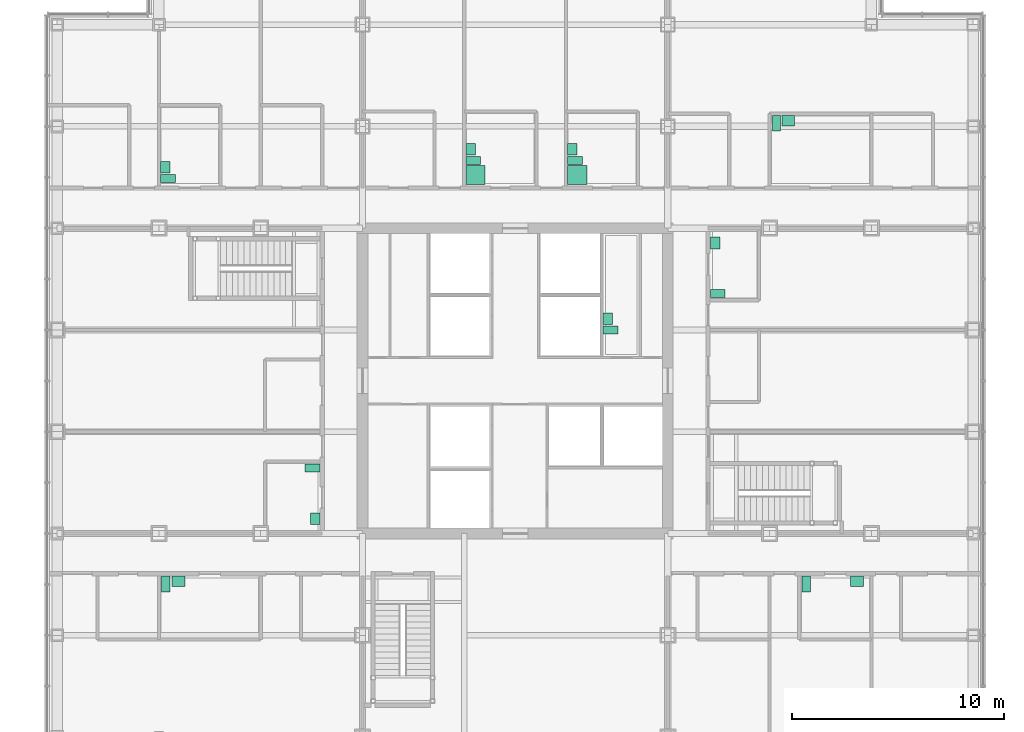
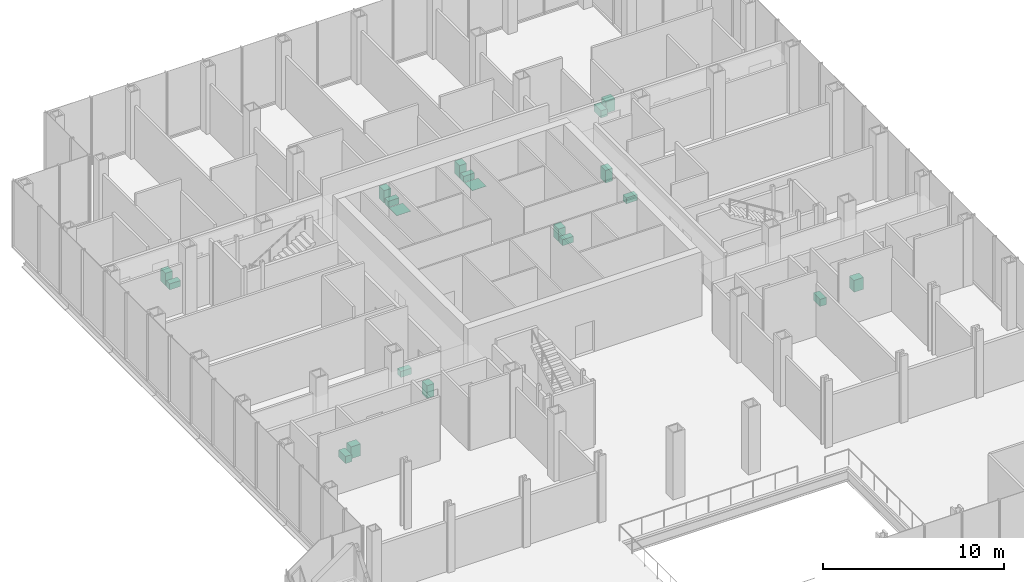
# One storey, part 25 of 25: 20 sanitary terminals.
"""IFC4 building model written with IfcOpenShell, lengths in metres."""

from ifc_helpers import new_model, si_unit, direction, frame, origin, origin_2d, place, context, subcontext, project, spatial, rectangle, extrude, material, type_object, element, save


model = new_model("IFC4")

# Units and contexts
model_context = context("Model", 3, precision=1e-05, world=origin(), true_north=direction((0.0, 1.0)))
body_context = subcontext(model_context, "Body", "Model", "MODEL_VIEW")
ifc_project = project(units=[si_unit("LENGTHUNIT", "METRE"), si_unit("AREAUNIT", "SQUARE_METRE"), si_unit("VOLUMEUNIT", "CUBIC_METRE"), si_unit("PLANEANGLEUNIT", "RADIAN"), si_unit("MASSUNIT", "GRAM", prefix="KILO")], contexts=[model_context])

# Site, building, storey
site_placement = place(None, origin())
site = spatial("IfcSite", under=ifc_project, at=site_placement, CompositionType="ELEMENT")
building_placement = place(site_placement, origin())
building = spatial("IfcBuilding", under=site, at=building_placement, Name="Kvirike Care Tower", CompositionType="ELEMENT")
storey_placement = place(building_placement, frame((0.0, 0.0, 9.0)))
storey = spatial("IfcBuildingStorey", under=building, at=storey_placement, Name="L02", CompositionType="ELEMENT", Elevation=9.0)

# Sanitary terminals
ifc_material_1 = material(Name="Vitreous china", Category="ceramic")
sanitary_terminal_type_1 = type_object("IfcSanitaryTerminalType", Name="ACCESSIBLE WASH BASIN 600 x 500", PredefinedType="WASHHANDBASIN", material=ifc_material_1)
for number, where, z_axis, x_axis, name in (
    (1, (5.72509765625, 26.548095703125, 0.02001953125), (0.0, 0.0, 1.0), (1.0, 0.0, 0.0), "Accessible wash basin L02-004"),
    (2, (37.72509765625, 26.548095703125, 0.02001953125), (0.0, 0.0, 1.0), (1.0, 0.0, 0.0), "Accessible wash basin L02-034"),
    (3, (34.47509765625, 48.27294921875, 0.02001953125), (0.0, 0.0, 1.0), (1.0, 0.0, 0.0), "Accessible wash basin L02-046"),
):
    element("IfcSanitaryTerminal", number, at=place(storey_placement, frame(where, z_axis=z_axis, x_axis=x_axis)), inside=storey, type_object=sanitary_terminal_type_1, Name=name, PredefinedType="WASHHANDBASIN", context=body_context, shape_type="SweptSolid", body=[
        extrude(rectangle(XDim=0.60009765625, YDim=0.5, at=origin_2d()), origin(), (0.0, 0.0, 1.0), 0.800048828125),
    ])
ifc_material_2 = material(Name="Vitreous china", Category="ceramic")
sanitary_terminal_type_2 = type_object("IfcSanitaryTerminalType", Name="ACCESSIBLE WC PAN 400 x 750", PredefinedType="TOILETPAN", material=ifc_material_2)
for number, where, z_axis, x_axis, name in (
    (4, (5.125, 26.423095703125, 0.02001953125), (0.0, 0.0, 1.0), (1.0, 0.0, 0.0), "Accessible WC pan L02-004"),
    (5, (35.324951171875, 26.423095703125, 0.02001953125), (0.0, 0.0, 1.0), (1.0, 0.0, 0.0), "Accessible WC pan L02-034"),
    (6, (33.925048828125, 48.14794921875, 0.02001953125), (0.0, 0.0, 1.0), (1.0, 0.0, 0.0), "Accessible WC pan L02-046"),
):
    element("IfcSanitaryTerminal", number, at=place(storey_placement, frame(where, z_axis=z_axis, x_axis=x_axis)), inside=storey, type_object=sanitary_terminal_type_2, Name=name, PredefinedType="TOILETPAN", context=body_context, shape_type="SweptSolid", body=[
        extrude(rectangle(XDim=0.39990234375, YDim=0.75, at=origin_2d()), origin(), (0.0, 0.0, 1.0), 0.47998046875),
    ])
ifc_material_3 = material(Name="Stainless steel", Category="steel")
sanitary_terminal_type_3 = type_object("IfcSanitaryTerminalType", Name="LEVEL-ACCESS SHOWER 900 x 900", PredefinedType="SHOWER", material=ifc_material_3)
for number, where, z_axis, x_axis, name in (
    (7, (24.527099609375, 45.699951171875, 0.02001953125), (0.0, 0.0, 1.0), (0.0, 1.0, 0.0), "Level-access shower L02-026"),
    (8, (19.72705078125, 45.699951171875, 0.02001953125), (0.0, 0.0, 1.0), (0.0, 1.0, 0.0), "Level-access shower L02-027"),
):
    element("IfcSanitaryTerminal", number, at=place(storey_placement, frame(where, z_axis=z_axis, x_axis=x_axis)), inside=storey, type_object=sanitary_terminal_type_3, Name=name, PredefinedType="SHOWER", context=body_context, shape_type="SweptSolid", body=[
        extrude(rectangle(XDim=0.89990234375, YDim=0.89990234375, at=origin_2d()), origin(), (0.0, 0.0, 1.0), 0.02001953125),
    ])
ifc_material_4 = material(Name="Vitreous china", Category="ceramic")
sanitary_terminal_type_4 = type_object("IfcSanitaryTerminalType", Name="WASH BASIN 550 x 450", PredefinedType="WASHHANDBASIN", material=ifc_material_4)
for number, where, z_axis, x_axis, name in (
    (9, (12.173095703125, 29.5, 0.02001953125), (0.0, 0.0, 1.0), (0.0, -1.0, 0.0), "Wash basin L02-012"),
    (10, (5.10205078125, 46.074951171875, 0.02001953125), (0.0, 0.0, 1.0), (0.0, 1.0, 0.0), "Wash basin L02-018"),
    (11, (24.302001953125, 46.925048828125, 0.02001953125), (0.0, 0.0, 1.0), (0.0, 1.0, 0.0), "Wash basin L02-026"),
    (12, (19.501953125, 46.925048828125, 0.02001953125), (0.0, 0.0, 1.0), (0.0, 1.0, 0.0), "Wash basin L02-027"),
    (13, (31.027099609375, 42.5, 0.02001953125), (0.0, 0.0, 1.0), (0.0, 1.0, 0.0), "Wash basin L02-042"),
    (14, (25.97705078125, 38.925048828125, 0.02001953125), (0.0, 0.0, 1.0), (0.0, 1.0, 0.0), "Wash basin L02-063"),
):
    element("IfcSanitaryTerminal", number, at=place(storey_placement, frame(where, z_axis=z_axis, x_axis=x_axis)), inside=storey, type_object=sanitary_terminal_type_4, Name=name, PredefinedType="WASHHANDBASIN", context=body_context, shape_type="SweptSolid", body=[
        extrude(rectangle(XDim=0.550048828125, YDim=0.449951171875, at=origin_2d()), origin(), (0.0, 0.0, 1.0), 0.85009765625),
    ])
ifc_material_5 = material(Name="Vitreous china", Category="ceramic")
sanitary_terminal_type_5 = type_object("IfcSanitaryTerminalType", Name="WC PAN 380 x 700", PredefinedType="TOILETPAN", material=ifc_material_5)
for number, where, z_axis, x_axis, name in (
    (15, (12.048095703125, 31.885009765625, 0.02001953125), (0.0, 0.0, 1.0), (0.0, -1.0, 0.0), "WC pan L02-012"),
    (16, (5.22705078125, 45.5400390625, 0.02001953125), (0.0, 0.0, 1.0), (0.0, 1.0, 0.0), "WC pan L02-018"),
    (17, (24.427001953125, 46.389892578125, 0.02001953125), (0.0, 0.0, 1.0), (0.0, 1.0, 0.0), "WC pan L02-026"),
    (18, (19.626953125, 46.389892578125, 0.02001953125), (0.0, 0.0, 1.0), (0.0, 1.0, 0.0), "WC pan L02-027"),
    (19, (31.152099609375, 40.114990234375, 0.02001953125), (0.0, 0.0, 1.0), (0.0, 1.0, 0.0), "WC pan L02-042"),
    (20, (26.10205078125, 38.389892578125, 0.02001953125), (0.0, 0.0, 1.0), (0.0, 1.0, 0.0), "WC pan L02-063"),
):
    element("IfcSanitaryTerminal", number, at=place(storey_placement, frame(where, z_axis=z_axis, x_axis=x_axis)), inside=storey, type_object=sanitary_terminal_type_5, Name=name, PredefinedType="TOILETPAN", context=body_context, shape_type="SweptSolid", body=[
        extrude(rectangle(XDim=0.3798828125, YDim=0.699951171875, at=origin_2d()), origin(), (0.0, 0.0, 1.0), 0.39990234375),
    ])

save(model, "model.ifc")
